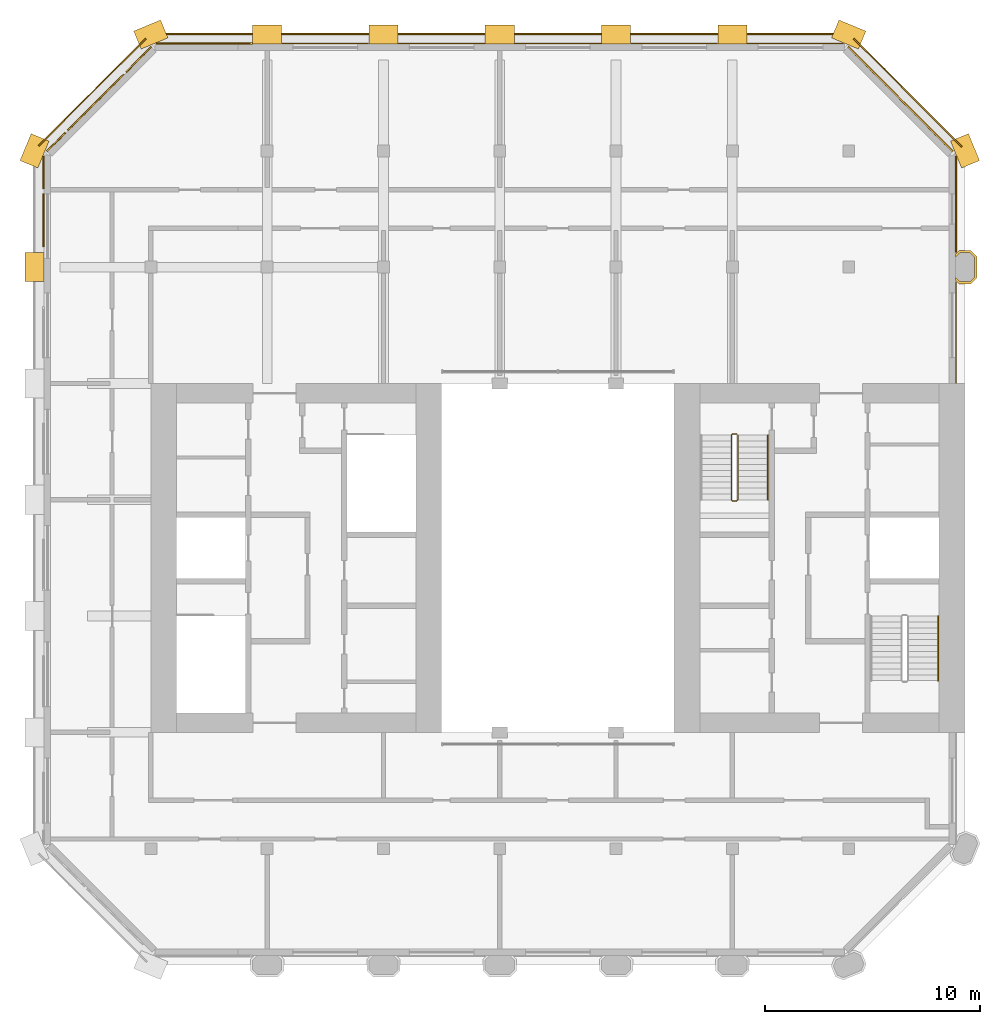
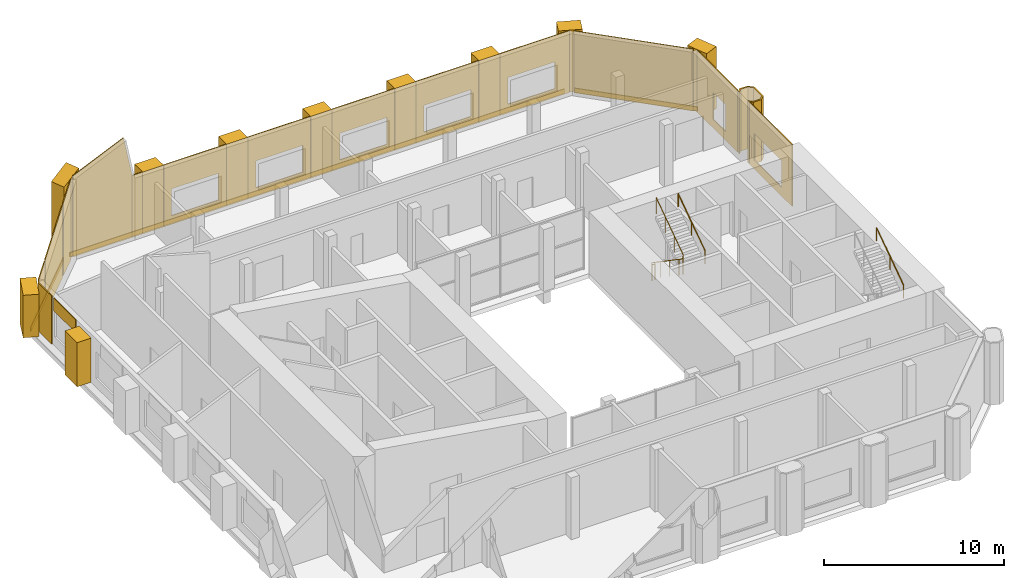
# One storey, part 11 of 11: 29 coverings, 3 railings.
"""IFC4 building model written with IfcOpenShell, lengths in metres."""

from ifc_helpers import new_model, si_unit, direction, frame, frame_2d, origin, origin_2d, place, context, subcontext, project, spatial, polyline, rectangle, circle, outline, extrude, material, layer, layer_set, type_object, element, save


model = new_model("IFC4")

# Units and contexts
model_context = context("Model", 3, precision=1e-05, world=origin(), true_north=direction((0.0, 1.0)))
body_context = subcontext(model_context, "Body", "Model", "MODEL_VIEW")
ifc_project = project(units=[si_unit("LENGTHUNIT", "METRE"), si_unit("AREAUNIT", "SQUARE_METRE"), si_unit("VOLUMEUNIT", "CUBIC_METRE"), si_unit("PLANEANGLEUNIT", "RADIAN"), si_unit("MASSUNIT", "GRAM", prefix="KILO")], contexts=[model_context])

# Site, building, storey
site_placement = place(None, origin())
site = spatial("IfcSite", under=ifc_project, at=site_placement, CompositionType="ELEMENT")
building_placement = place(site_placement, origin())
building = spatial("IfcBuilding", under=site, at=building_placement, Name="Tabaq Tower and Sports Hall", CompositionType="ELEMENT")
storey_placement = place(building_placement, frame((0.0, 0.0, 321.699951171875)))
storey = spatial("IfcBuildingStorey", under=building, at=storey_placement, Name="L80", CompositionType="ELEMENT", Elevation=321.699951171875)

# Coverings
ifc_material_1 = material(Name="Precast concrete C60/75", Category="concrete")
ifc_layer_1 = layer(ifc_material_1, 0.10009765625)
ifc_layer_set_1 = layer_set([ifc_layer_1], Name="Column cladding 100")
covering_type_1 = type_object("IfcCoveringType", Name="Column cladding 100", PredefinedType="CLADDING", material=ifc_layer_set_1)
covering_1_placement = place(storey_placement, origin())
element("IfcCovering", 1, at=covering_1_placement, inside=storey, type_object=covering_type_1, Name="Column cladding L80 PC-9H-CR", PredefinedType="CLADDING", context=body_context, shape_type="SweptSolid", body=[
    extrude(outline(polyline([(42.93359375, 37.025390625), (42.750244140625, 37.208740234375), (42.750244140625, 37.349365234375), (42.974853515625, 37.124755859375), (43.425048828125, 37.124755859375), (43.650390625, 37.349853515625), (43.650390625, 38.250244140625), (43.425048828125, 38.475341796875), (42.974853515625, 38.475341796875), (42.750244140625, 38.250732421875), (42.750244140625, 38.391357421875), (42.93359375, 38.57470703125), (43.46630859375, 38.57470703125), (43.749755859375, 38.291259765625), (43.749755859375, 37.30859375), (43.46630859375, 37.025390625), (42.93359375, 37.025390625)])), origin(), (0.0, 0.0, 1.0), 4.199951171875),
])
ifc_material_2 = material(Name="Precast concrete C60/75", Category="concrete")
ifc_layer_2 = layer(ifc_material_2, 0.06005859375)
ifc_layer_set_2 = layer_set([ifc_layer_2], Name="Edge beam cladding 60")
covering_type_2 = type_object("IfcCoveringType", Name="Edge beam cladding 60", PredefinedType="CLADDING", material=ifc_layer_set_2)
covering_2_placement = place(storey_placement, frame((43.04443359375, 43.39794921875, -0.300048828125), z_axis=(0.0, 0.0, 1.0), x_axis=(-0.707106781187, 0.707106781187, 0.0)))
element("IfcCovering", 2, at=covering_2_placement, inside=storey, type_object=covering_type_2, Name="Edge beam cladding L80 1", PredefinedType="CLADDING", context=body_context, shape_type="SweptSolid", body=[
    extrude(rectangle(XDim=7.08837890625, YDim=0.06005859375, at=frame_2d((3.544189453125, 0.0))), origin(), (0.0, 0.0, 1.0), 0.300048828125),
])
covering_3_placement = place(storey_placement, frame((37.50146484375, 48.6298828125, -0.300048828125), z_axis=(0.0, 0.0, 1.0), x_axis=(-1.0, 0.0, 0.0)))
element("IfcCovering", 3, at=covering_3_placement, inside=storey, type_object=covering_type_2, Name="Edge beam cladding L80 2", PredefinedType="CLADDING", context=body_context, shape_type="SweptSolid", body=[
    extrude(rectangle(XDim=31.802978515625, YDim=0.06005859375, at=frame_2d((15.9013671875, 0.0))), origin(), (0.0, 0.0, 1.0), 0.300048828125),
])
covering_4_placement = place(storey_placement, frame((5.167724609375, 48.41015625, -0.300048828125), z_axis=(0.0, 0.0, 1.0), x_axis=(-0.707106781187, -0.707106781187, 0.0)))
element("IfcCovering", 4, at=covering_4_placement, inside=storey, type_object=covering_type_2, Name="Edge beam cladding L80 3", PredefinedType="CLADDING", context=body_context, shape_type="SweptSolid", body=[
    extrude(rectangle(XDim=7.03955078125, YDim=0.06005859375, at=frame_2d((3.519775390625, 0.0))), origin(), (0.0, 0.0, 1.0), 0.300048828125),
])
ifc_material_3 = material(Name="White precast concrete C60/75", Category="concrete")
covering_type_3 = type_object("IfcCoveringType", Name="Pier cladding hung 1350x900", PredefinedType="CLADDING", material=ifc_material_3)
covering_5_placement = place(storey_placement, frame((0.0, 38.47509765625, 0.0), z_axis=(0.0, 0.0, 1.0), x_axis=(0.0, -1.0, 0.0)))
element("IfcCovering", 5, at=covering_5_placement, inside=storey, type_object=covering_type_3, Name="Hung pier cladding 0/7", PredefinedType="CLADDING", context=body_context, shape_type="SweptSolid", body=[
    extrude(outline(polyline([(0.0, 0.0), (1.35009765625, 0.0), (1.35009765625, 3.0), (0.89990234375, 3.0), (0.449951171875, 3.0), (0.0, 3.0), (0.0, 0.0)])), frame((0.0, 0.449951171875, 0.0), z_axis=(0.0, -1.0, 0.0), x_axis=(1.0, 0.0, 0.0)), (0.0, 0.0, 1.0), 0.89990234375),
])
covering_6_placement = place(storey_placement, frame((0.25830078125, 43.82373046875, 0.0), z_axis=(0.0, 0.0, 1.0), x_axis=(-0.382649923473, -0.923893411637, 0.0)))
element("IfcCovering", 6, at=covering_6_placement, inside=storey, type_object=covering_type_3, Name="Hung pier cladding 0/8", PredefinedType="CLADDING", context=body_context, shape_type="SweptSolid", body=[
    extrude(outline(polyline([(0.0, 0.0), (1.35009765625, 0.0), (1.35009765625, 2.88525390625), (0.89990234375, 2.961669921875), (0.449951171875, 3.038330078125), (0.0, 3.11474609375), (0.0, 0.0)])), frame((0.0, 0.449951171875, 0.0), z_axis=(0.0, -1.0, 0.0), x_axis=(1.0, 0.0, 0.0)), (0.0, 0.0, 1.0), 0.89990234375),
])
covering_7_placement = place(storey_placement, frame((6.023681640625, 48.8583984375, 0.0), z_axis=(0.0, 0.0, 1.0), x_axis=(-0.923893411637, -0.382649923473, 0.0)))
element("IfcCovering", 7, at=covering_7_placement, inside=storey, type_object=covering_type_3, Name="Hung pier cladding 1/9", PredefinedType="CLADDING", context=body_context, shape_type="SweptSolid", body=[
    extrude(outline(polyline([(0.0, 0.0), (1.35009765625, 0.0), (1.35009765625, 5.122802734375), (0.89990234375, 5.3076171875), (0.449951171875, 5.492431640625), (0.0, 5.67724609375), (0.0, 0.0)])), frame((0.0, 0.449951171875, 0.0), z_axis=(0.0, -1.0, 0.0), x_axis=(1.0, 0.0, 0.0)), (0.0, 0.0, 1.0), 0.89990234375),
])
for number, where, z_axis, x_axis, name in (
    (8, (11.47509765625, 48.60009765625, 0.0), (0.0, 0.0, 1.0), (-1.0, 0.0, 0.0), "Hung pier cladding 2/9"),
    (9, (16.875, 48.60009765625, 0.0), (0.0, 0.0, 1.0), (-1.0, 0.0, 0.0), "Hung pier cladding 3/9"),
):
    element("IfcCovering", number, at=place(storey_placement, frame(where, z_axis=z_axis, x_axis=x_axis)), inside=storey, type_object=covering_type_3, Name=name, PredefinedType="CLADDING", context=body_context, shape_type="SweptSolid", body=[
        extrude(rectangle(XDim=1.35009765625, YDim=0.89990234375, at=frame_2d((0.675048828125, 0.0))), origin(), (0.0, 0.0, 1.0), 4.199951171875),
    ])
covering_8_placement = place(storey_placement, frame((22.27490234375, 48.60009765625, 0.0), z_axis=(0.0, 0.0, 1.0), x_axis=(-1.0, 0.0, 0.0)))
element("IfcCovering", 10, at=covering_8_placement, inside=storey, type_object=covering_type_3, Name="Hung pier cladding 4/9", PredefinedType="CLADDING", context=body_context, shape_type="SweptSolid", body=[
    extrude(rectangle(XDim=1.349853515625, YDim=0.89990234375, at=frame_2d((0.6748046875, 0.0))), origin(), (0.0, 0.0, 1.0), 4.199951171875),
])
covering_9_placement = place(storey_placement, frame((27.675048828125, 48.60009765625, 0.0), z_axis=(0.0, 0.0, 1.0), x_axis=(-1.0, 0.0, 0.0)))
element("IfcCovering", 11, at=covering_9_placement, inside=storey, type_object=covering_type_3, Name="Hung pier cladding 5/9", PredefinedType="CLADDING", context=body_context, shape_type="SweptSolid", body=[
    extrude(rectangle(XDim=1.35009765625, YDim=0.89990234375, at=frame_2d((0.675048828125, 0.0))), origin(), (0.0, 0.0, 1.0), 4.199951171875),
])
covering_10_placement = place(storey_placement, frame((33.074951171875, 48.60009765625, 0.0), z_axis=(0.0, 0.0, 1.0), x_axis=(-1.0, 0.0, 0.0)))
element("IfcCovering", 12, at=covering_10_placement, inside=storey, type_object=covering_type_3, Name="Hung pier cladding 6/9", PredefinedType="CLADDING", context=body_context, shape_type="SweptSolid", body=[
    extrude(rectangle(XDim=1.349853515625, YDim=0.89990234375, at=frame_2d((0.6748046875, 0.0))), origin(), (0.0, 0.0, 1.0), 4.199951171875),
])
for number, where, z_axis, x_axis, name in (
    (13, (38.423583984375, 48.341796875, 0.0), (0.0, 0.0, 1.0), (-0.923893411637, 0.382649923473, 0.0), "Hung pier cladding 7/9"),
    (14, (43.458251953125, 42.576416015625, 0.0), (0.0, 0.0, 1.0), (-0.382649923473, 0.923893411637, 0.0), "Hung pier cladding 8/8"),
):
    element("IfcCovering", number, at=place(storey_placement, frame(where, z_axis=z_axis, x_axis=x_axis)), inside=storey, type_object=covering_type_3, Name=name, PredefinedType="CLADDING", context=body_context, shape_type="SweptSolid", body=[
        extrude(rectangle(XDim=1.35009765625, YDim=0.89990234375, at=frame_2d((0.675048828125, 0.0))), origin(), (0.0, 0.0, 1.0), 4.199951171875),
    ])

# Railings
ifc_material_4 = material(Name="Stainless steel", Category="steel")
railing_type_1 = type_object("IfcRailingType", Name="Stair guard", PredefinedType="GUARDRAIL", material=ifc_material_4)
railing_placement = place(storey_placement, frame((32.60009765625, 30.050048828125, 0.0)))
element("IfcRailing", 15, at=railing_placement, inside=storey, type_object=railing_type_1, Name="L80 ST4 stair guard 1", PredefinedType="GUARDRAIL", context=body_context, shape_type="SweptSolid", body=[
    extrude(circle(Radius=0.02392578125, at=origin_2d()), frame((0.0, 0.0, 1.076171875), z_axis=(-1.0, 0.0, 0.0), x_axis=(0.0, -1.0, 0.0)), (0.0, 0.0, 1.0), 0.2001953125),
    extrude(circle(Radius=0.02392578125, at=origin_2d()), frame((-0.2001953125, 0.0, 1.076171875), z_axis=(-0.248583702486, -0.249802250048, 0.935844527007), x_axis=(0.708833529934, -0.705375805398, 0.0)), (0.0, 0.0, 1.0), 0.200439453125),
    extrude(circle(Radius=0.02392578125, at=origin_2d()), frame((-0.25, -0.050048828125, 1.263671875), z_axis=(0.0, -0.824041924199, 0.566528822887), x_axis=(1.0, 0.0, 0.0)), (0.0, 0.0, 1.0), 3.640625),
    extrude(circle(Radius=0.02392578125, at=origin_2d()), frame((-0.25, -3.050048828125, 3.326171875), z_axis=(0.705375805398, -0.708833529934, 0.0), x_axis=(0.708833529934, 0.705375805398, 0.0)), (0.0, 0.0, 1.0), 0.070556640625),
    extrude(circle(Radius=0.02392578125, at=origin_2d()), frame((-0.2001953125, -3.10009765625, 3.326171875), z_axis=(1.0, 0.0, 0.0), x_axis=(0.0, 1.0, 0.0)), (0.0, 0.0, 1.0), 0.2001953125),
    extrude(circle(Radius=0.02392578125, at=origin_2d()), frame((0.0, -3.10009765625, 3.326171875), z_axis=(0.248583702486, 0.249802250048, 0.935844527007), x_axis=(-0.708833529934, 0.705375805398, 0.0)), (0.0, 0.0, 1.0), 0.200439453125),
    extrude(circle(Radius=0.02392578125, at=origin_2d()), frame((0.0498046875, -3.050048828125, 3.513671875), z_axis=(0.0, 0.824041924199, 0.566528822887), x_axis=(-1.0, 0.0, 0.0)), (0.0, 0.0, 1.0), 3.640625),
    extrude(circle(Radius=0.02099609375, at=origin_2d()), origin(), (0.0, 0.0, 1.0), 1.052001953125),
    extrude(circle(Radius=0.02099609375, at=origin_2d()), frame((-0.2001953125, 0.0, 0.0)), (0.0, 0.0, 1.0), 1.052001953125),
    extrude(circle(Radius=0.02099609375, at=origin_2d()), frame((-0.25, -0.050048828125, 0.1875)), (0.0, 0.0, 1.0), 1.052001953125),
    extrude(circle(Radius=0.02099609375, at=origin_2d()), frame((-0.25, -1.050048828125, 0.875)), (0.0, 0.0, 1.0), 1.052001953125),
    extrude(circle(Radius=0.02099609375, at=origin_2d()), frame((-0.25, -2.050048828125, 1.5625)), (0.0, 0.0, 1.0), 1.052001953125),
    extrude(circle(Radius=0.02099609375, at=origin_2d()), frame((-0.25, -3.050048828125, 2.25)), (0.0, 0.0, 1.0), 1.052001953125),
    extrude(circle(Radius=0.02099609375, at=origin_2d()), frame((-0.2001953125, -3.10009765625, 2.25)), (0.0, 0.0, 1.0), 1.052001953125),
    extrude(circle(Radius=0.02099609375, at=origin_2d()), frame((0.0, -3.10009765625, 2.25)), (0.0, 0.0, 1.0), 1.052001953125),
    extrude(circle(Radius=0.02099609375, at=origin_2d()), frame((0.0498046875, -3.050048828125, 2.4375)), (0.0, 0.0, 1.0), 1.052001953125),
    extrude(circle(Radius=0.02099609375, at=origin_2d()), frame((0.0498046875, -2.050048828125, 3.125)), (0.0, 0.0, 1.0), 1.052001953125),
    extrude(circle(Radius=0.02099609375, at=origin_2d()), frame((0.0498046875, -1.050048828125, 3.8125)), (0.0, 0.0, 1.0), 1.052001953125),
    extrude(circle(Radius=0.02099609375, at=origin_2d()), frame((0.0498046875, -0.050048828125, 4.5)), (0.0, 0.0, 1.0), 1.052001953125),
])
ifc_material_5 = material(Name="Stainless steel", Category="steel")
railing_type_2 = type_object("IfcRailingType", Name="Stair handrail", PredefinedType="HANDRAIL", material=ifc_material_5)
for number, where, name in (
    (16, (41.949951171875, 18.60009765625, 2.4375), "L80 ST3 stair handrail 2"),
    (17, (34.050048828125, 27.0, 2.4375), "L80 ST4 stair handrail 2"),
):
    element("IfcRailing", number, at=place(storey_placement, frame(where)), inside=storey, type_object=railing_type_2, Name=name, PredefinedType="HANDRAIL", context=body_context, shape_type="SweptSolid", body=[
        extrude(circle(Radius=0.02392578125, at=origin_2d()), frame((0.0, 0.0, 0.8759765625), z_axis=(0.0, 0.824041924199, 0.566528822887), x_axis=(-1.0, 0.0, 0.0)), (0.0, 0.0, 1.0), 3.640625),
        extrude(circle(Radius=0.02099609375, at=origin_2d()), origin(), (0.0, 0.0, 1.0), 0.851806640625),
        extrude(circle(Radius=0.02099609375, at=origin_2d()), frame((0.0, 1.5, 1.03125)), (0.0, 0.0, 1.0), 0.851806640625),
        extrude(circle(Radius=0.02099609375, at=origin_2d()), frame((0.0, 3.0, 2.0625)), (0.0, 0.0, 1.0), 0.851806640625),
    ])

# Coverings
ifc_material_6 = material(Name="Precast concrete C60/75", Category="concrete")
ifc_layer_3 = layer(ifc_material_6, 0.06005859375)
ifc_layer_set_3 = layer_set([ifc_layer_3], Name="White precast cladding panel 60 C60/75")
covering_type_4 = type_object("IfcCoveringType", Name="White precast cladding panel 60 C60/75", PredefinedType="CLADDING", material=ifc_layer_set_3)
covering_11_placement = place(storey_placement, frame((42.780029296875, 32.39990234375, 0.0), z_axis=(0.0, 0.0, 1.0), x_axis=(0.0, 1.0, 0.0)))
element("IfcCovering", 18, at=covering_11_placement, inside=storey, type_object=covering_type_4, Name="White precast cladding panel L80 wall02-1", PredefinedType="CLADDING", context=body_context, shape_type="SweptSolid", body=[
    extrude(outline(polyline([(0.0, 0.0), (4.715087890625, 0.0), (4.715087890625, 4.199951171875), (4.12744140625, 4.199951171875), (3.537841796875, 4.199951171875), (2.9482421875, 4.199951171875), (2.358642578125, 4.199951171875), (1.76904296875, 4.199951171875), (1.17919921875, 4.199951171875), (0.589599609375, 4.199951171875), (0.0, 4.199951171875), (0.0, 0.0)]), holes=[polyline([(1.18994140625, 0.590087890625), (1.18994140625, 2.41015625), (4.2099609375, 2.41015625), (4.2099609375, 0.590087890625), (1.18994140625, 0.590087890625)])]), frame((0.0, 0.030029296875, 0.0), z_axis=(0.0, -1.0, 0.0), x_axis=(1.0, 0.0, 0.0)), (0.0, 0.0, 1.0), 0.06005859375),
])
covering_12_placement = place(storey_placement, frame((42.780029296875, 38.485107421875, 0.0), z_axis=(0.0, 0.0, 1.0), x_axis=(0.0, 1.0, 0.0)))
element("IfcCovering", 19, at=covering_12_placement, inside=storey, type_object=covering_type_4, Name="White precast cladding panel L80 wall02-1 2", PredefinedType="CLADDING", context=body_context, shape_type="SweptSolid", body=[
    extrude(outline(polyline([(0.0, 0.0), (4.4716796875, 0.0), (4.471923828125, 4.199951171875), (3.93896484375, 4.199951171875), (3.349365234375, 4.199951171875), (2.759765625, 4.199951171875), (2.169921875, 4.199951171875), (1.580322265625, 4.199951171875), (0.99072265625, 4.199951171875), (0.401123046875, 4.199951171875), (0.0, 4.199951171875), (0.0, 0.0)]), holes=[polyline([(1.301513671875, 0.590087890625), (1.301513671875, 2.41015625), (2.721435546875, 2.41015625), (2.721435546875, 0.590087890625), (1.301513671875, 0.590087890625)])]), frame((0.0, 0.030029296875, 0.0), z_axis=(0.0, -1.0, 0.0), x_axis=(1.0, 0.0, 0.0)), (0.0, 0.0, 1.0), 0.06005859375),
])
covering_13_placement = place(storey_placement, frame((42.628173828125, 43.177734375, 0.0), z_axis=(0.0, 0.0, 1.0), x_axis=(-0.707088985397, 0.707124576528, 0.0)))
element("IfcCovering", 20, at=covering_13_placement, inside=storey, type_object=covering_type_4, Name="White precast cladding panel L80 wall03", PredefinedType="CLADDING", context=body_context, shape_type="SweptSolid", body=[
    extrude(outline(polyline([(0.0, 0.0), (6.859619140625, 0.0), (6.859619140625, 4.199951171875), (6.2880859375, 4.199951171875), (5.71630859375, 4.199951171875), (5.144775390625, 4.199951171875), (4.5732421875, 4.199951171875), (4.00146484375, 4.199951171875), (3.429931640625, 4.199951171875), (2.858154296875, 4.199951171875), (2.28662109375, 4.199951171875), (1.71484375, 4.199951171875), (1.143310546875, 4.199951171875), (0.571533203125, 4.199951171875), (0.0, 4.199951171875), (0.0, 0.0)])), frame((0.0, 0.030029296875, 0.0), z_axis=(0.0, -1.0, 0.0), x_axis=(1.0, 0.0, 0.0)), (0.0, 0.0, 1.0), 0.06005859375),
])
covering_14_placement = place(storey_placement, frame((37.556884765625, 48.179931640625, 0.0), z_axis=(0.0, 0.0, 1.0), x_axis=(-1.0, 0.0, 0.0)))
element("IfcCovering", 21, at=covering_14_placement, inside=storey, type_object=covering_type_4, Name="White precast cladding panel L80 wall04", PredefinedType="CLADDING", context=body_context, shape_type="SweptSolid", body=[
    extrude(outline(polyline([(0.0, 0.0), (4.471923828125, 0.0), (4.471923828125, 4.199951171875), (4.137939453125, 4.199951171875), (3.53857421875, 4.199951171875), (2.939453125, 4.199951171875), (2.340087890625, 4.199951171875), (1.740966796875, 4.199951171875), (1.1416015625, 4.199951171875), (0.54248046875, 4.199951171875), (0.0, 4.199951171875), (0.0, 0.0)]), holes=[polyline([(0.94677734375, 0.590087890625), (0.94677734375, 2.41015625), (3.966796875, 2.41015625), (3.966796875, 0.590087890625), (0.94677734375, 0.590087890625)])]), frame((0.0, 0.030029296875, 0.0), z_axis=(0.0, -1.0, 0.0), x_axis=(1.0, 0.0, 0.0)), (0.0, 0.0, 1.0), 0.06005859375),
])
covering_15_placement = place(storey_placement, frame((31.715087890625, 48.179931640625, 0.0), z_axis=(0.0, 0.0, 1.0), x_axis=(-1.0, 0.0, 0.0)))
element("IfcCovering", 22, at=covering_15_placement, inside=storey, type_object=covering_type_4, Name="White precast cladding panel L80 wall04 2", PredefinedType="CLADDING", context=body_context, shape_type="SweptSolid", body=[
    extrude(outline(polyline([(0.0, 0.0), (4.030029296875, 0.0), (4.030029296875, 4.199951171875), (3.68896484375, 4.199951171875), (3.08984375, 4.199951171875), (2.490478515625, 4.199951171875), (1.891357421875, 4.199951171875), (1.2919921875, 4.199951171875), (0.69287109375, 4.199951171875), (0.09375, 4.199951171875), (0.0, 4.199951171875), (0.0, 0.0)]), holes=[polyline([(0.5048828125, 0.590087890625), (0.5048828125, 2.41015625), (3.52490234375, 2.41015625), (3.52490234375, 0.590087890625), (0.5048828125, 0.590087890625)])]), frame((0.0, 0.030029296875, 0.0), z_axis=(0.0, -1.0, 0.0), x_axis=(1.0, 0.0, 0.0)), (0.0, 0.0, 1.0), 0.06005859375),
])
covering_16_placement = place(storey_placement, frame((26.31494140625, 48.179931640625, 0.0), z_axis=(0.0, 0.0, 1.0), x_axis=(-1.0, 0.0, 0.0)))
element("IfcCovering", 23, at=covering_16_placement, inside=storey, type_object=covering_type_4, Name="White precast cladding panel L80 wall04 3", PredefinedType="CLADDING", context=body_context, shape_type="SweptSolid", body=[
    extrude(outline(polyline([(0.0, 0.0), (4.030029296875, 0.0), (4.030029296875, 4.199951171875), (3.68212890625, 4.199951171875), (3.082763671875, 4.199951171875), (2.483642578125, 4.199951171875), (1.88427734375, 4.199951171875), (1.28515625, 4.199951171875), (0.685791015625, 4.199951171875), (0.086669921875, 4.199951171875), (0.0, 4.199951171875), (0.0, 0.0)]), holes=[polyline([(0.5048828125, 0.590087890625), (0.5048828125, 2.41015625), (3.52490234375, 2.41015625), (3.52490234375, 0.590087890625), (0.5048828125, 0.590087890625)])]), frame((0.0, 0.030029296875, 0.0), z_axis=(0.0, -1.0, 0.0), x_axis=(1.0, 0.0, 0.0)), (0.0, 0.0, 1.0), 0.06005859375),
])
covering_17_placement = place(storey_placement, frame((20.9150390625, 48.179931640625, 0.0), z_axis=(0.0, 0.0, 1.0), x_axis=(-1.0, 0.0, 0.0)))
element("IfcCovering", 24, at=covering_17_placement, inside=storey, type_object=covering_type_4, Name="White precast cladding panel L80 wall04 4", PredefinedType="CLADDING", context=body_context, shape_type="SweptSolid", body=[
    extrude(outline(polyline([(0.0, 0.0), (4.030029296875, 0.0), (4.030029296875, 4.199951171875), (3.675048828125, 4.199951171875), (3.075927734375, 4.199951171875), (2.4765625, 4.199951171875), (1.87744140625, 4.199951171875), (1.278076171875, 4.199951171875), (0.678955078125, 4.199951171875), (0.079833984375, 4.199951171875), (0.0, 4.199951171875), (0.0, 0.0)]), holes=[polyline([(0.5048828125, 0.590087890625), (0.5048828125, 2.41015625), (3.52490234375, 2.41015625), (3.52490234375, 0.590087890625), (0.5048828125, 0.590087890625)])]), frame((0.0, 0.030029296875, 0.0), z_axis=(0.0, -1.0, 0.0), x_axis=(1.0, 0.0, 0.0)), (0.0, 0.0, 1.0), 0.06005859375),
])
covering_18_placement = place(storey_placement, frame((15.514892578125, 48.179931640625, 0.0), z_axis=(0.0, 0.0, 1.0), x_axis=(-1.0, 0.0, 0.0)))
element("IfcCovering", 25, at=covering_18_placement, inside=storey, type_object=covering_type_4, Name="White precast cladding panel L80 wall04 5", PredefinedType="CLADDING", context=body_context, shape_type="SweptSolid", body=[
    extrude(outline(polyline([(0.0, 0.0), (4.02978515625, 0.0), (4.030029296875, 4.199951171875), (3.668212890625, 4.199951171875), (3.06884765625, 4.199951171875), (2.4697265625, 4.199951171875), (1.870361328125, 4.199951171875), (1.271240234375, 4.199951171875), (0.671875, 4.199951171875), (0.07275390625, 4.199951171875), (0.0, 4.199951171875), (0.0, 0.0)]), holes=[polyline([(0.5048828125, 0.590087890625), (0.5048828125, 2.41015625), (3.52490234375, 2.41015625), (3.52490234375, 0.590087890625), (0.5048828125, 0.590087890625)])]), frame((0.0, 0.030029296875, 0.0), z_axis=(0.0, -1.0, 0.0), x_axis=(1.0, 0.0, 0.0)), (0.0, 0.0, 1.0), 0.06005859375),
])
covering_19_placement = place(storey_placement, frame((10.114990234375, 48.179931640625, 0.0), z_axis=(0.0, 0.0, 1.0), x_axis=(-1.0, 0.0, 0.0)))
element("IfcCovering", 26, at=covering_19_placement, inside=storey, type_object=covering_type_4, Name="White precast cladding panel L80 wall04 6", PredefinedType="CLADDING", context=body_context, shape_type="SweptSolid", body=[
    extrude(outline(polyline([(0.0, 0.0), (0.6650390625, 0.0), (0.6650390625, 4.199951171875), (0.065673828125, 4.199951171875), (0.0, 4.199951171875), (0.0, 0.0)])), frame((0.0, 0.030029296875, 0.0), z_axis=(0.0, -1.0, 0.0), x_axis=(1.0, 0.0, 0.0)), (0.0, 0.0, 1.0), 0.06005859375),
])
covering_20_placement = place(storey_placement, frame((9.449951171875, 48.179931640625, 0.0), z_axis=(0.0, 0.0, 1.0), x_axis=(-1.0, 0.0, 0.0)))
element("IfcCovering", 27, at=covering_20_placement, inside=storey, type_object=covering_type_4, Name="White precast cladding panel L80 wall04-1", PredefinedType="CLADDING", context=body_context, shape_type="SweptSolid", body=[
    extrude(outline(polyline([(0.0, 0.0), (3.806884765625, 0.0), (3.806884765625, 5.508056640625), (3.311767578125, 5.728271484375), (2.759765625, 5.973388671875), (2.207763671875, 6.21875), (1.65576171875, 6.464111328125), (1.10400390625, 6.70947265625), (0.552001953125, 6.954833984375), (0.0, 4.199951171875), (0.0, 0.0)])), frame((0.0, 0.030029296875, 0.0), z_axis=(0.0, -1.0, 0.0), x_axis=(1.0, 0.0, 0.0)), (0.0, 0.0, 1.0), 0.06005859375),
])
covering_21_placement = place(storey_placement, frame((5.42236328125, 48.0283203125, 0.0), z_axis=(0.0, 0.0, 1.0), x_axis=(-0.707106781187, -0.707106781187, 0.0)))
element("IfcCovering", 28, at=covering_21_placement, inside=storey, type_object=covering_type_4, Name="White precast cladding panel L80 wall05", PredefinedType="CLADDING", context=body_context, shape_type="SweptSolid", body=[
    extrude(outline(polyline([(0.0, 0.0), (1.6552734375, 0.0), (1.655029296875, 4.9462890625), (1.143310546875, 5.107177734375), (0.571533203125, 5.286865234375), (0.0, 5.466552734375), (0.0, 0.0)])), frame((0.0, 0.030029296875, 0.0), z_axis=(0.0, -1.0, 0.0), x_axis=(1.0, 0.0, 0.0)), (0.0, 0.0, 1.0), 0.06005859375),
])
covering_22_placement = place(storey_placement, frame((4.135986328125, 46.7421875, 0.0), z_axis=(0.0, 0.0, 1.0), x_axis=(-0.70707337746, -0.707140183335, 0.0)))
element("IfcCovering", 29, at=covering_22_placement, inside=storey, type_object=covering_type_4, Name="White precast cladding panel L80 wall05 2", PredefinedType="CLADDING", context=body_context, shape_type="SweptSolid", body=[
    extrude(outline(polyline([(0.0, 0.0), (3.654541015625, 0.0), (3.654541015625, 3.746337890625), (3.32568359375, 3.849609375), (2.754150390625, 4.029296875), (2.1826171875, 4.208984375), (1.61083984375, 4.388671875), (1.039306640625, 4.568359375), (0.467529296875, 4.747802734375), (0.0, 4.894775390625), (0.0, 0.0)])), frame((0.0, 0.030029296875, 0.0), z_axis=(0.0, -1.0, 0.0), x_axis=(1.0, 0.0, 0.0)), (0.0, 0.0, 1.0), 0.06005859375),
])
covering_23_placement = place(storey_placement, frame((1.43603515625, 44.0419921875, 0.0), z_axis=(0.0, 0.0, 1.0), x_axis=(-0.707106781187, -0.707106781187, 0.0)))
element("IfcCovering", 30, at=covering_23_placement, inside=storey, type_object=covering_type_4, Name="White precast cladding panel L80 wall05 3", PredefinedType="CLADDING", context=body_context, shape_type="SweptSolid", body=[
    extrude(outline(polyline([(0.0, 0.0), (1.22216796875, 0.0), (1.222412109375, 3.310791015625), (0.650634765625, 3.490478515625), (0.0791015625, 3.669921875), (0.0, 3.69482421875), (0.0, 0.0)])), frame((0.0, 0.030029296875, 0.0), z_axis=(0.0, -1.0, 0.0), x_axis=(1.0, 0.0, 0.0)), (0.0, 0.0, 1.0), 0.06005859375),
])
covering_24_placement = place(storey_placement, frame((0.419921875, 42.956787109375, 0.0), z_axis=(0.0, 0.0, 1.0), x_axis=(0.0, -1.0, 0.0)))
element("IfcCovering", 31, at=covering_24_placement, inside=storey, type_object=covering_type_4, Name="White precast cladding panel L80 wall06", PredefinedType="CLADDING", context=body_context, shape_type="SweptSolid", body=[
    extrude(outline(polyline([(0.0, 0.0), (1.516845703125, 0.0), (1.516845703125, 3.2666015625), (1.12939453125, 3.2666015625), (0.536376953125, 3.2666015625), (0.0, 3.2666015625), (0.0, 0.0)])), frame((0.0, 0.030029296875, 0.0), z_axis=(0.0, -1.0, 0.0), x_axis=(1.0, 0.0, 0.0)), (0.0, 0.0, 1.0), 0.06005859375),
])
covering_25_placement = place(storey_placement, frame((0.419921875, 41.213623046875, 2.41015625), z_axis=(0.0, 0.0, 1.0), x_axis=(0.0, -1.0, 0.0)))
element("IfcCovering", 32, at=covering_25_placement, inside=storey, type_object=covering_type_4, Name="White precast cladding panel L80 wall06 2", PredefinedType="CLADDING", context=body_context, shape_type="SweptSolid", body=[
    extrude(outline(polyline([(0.0, 0.0), (2.4736328125, 0.0), (2.4736328125, 0.8564453125), (2.3515625, 0.8564453125), (1.758544921875, 0.8564453125), (1.16552734375, 0.8564453125), (0.572265625, 0.8564453125), (0.0, 0.8564453125), (0.0, 0.0)])), frame((0.0, 0.030029296875, 0.0), z_axis=(0.0, -1.0, 0.0), x_axis=(1.0, 0.0, 0.0)), (0.0, 0.0, 1.0), 0.06005859375),
])

save(model, "model.ifc")
